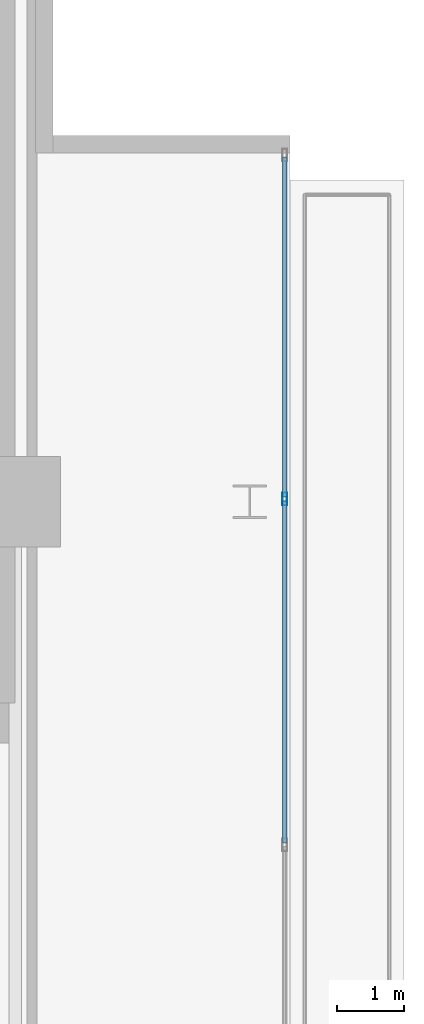
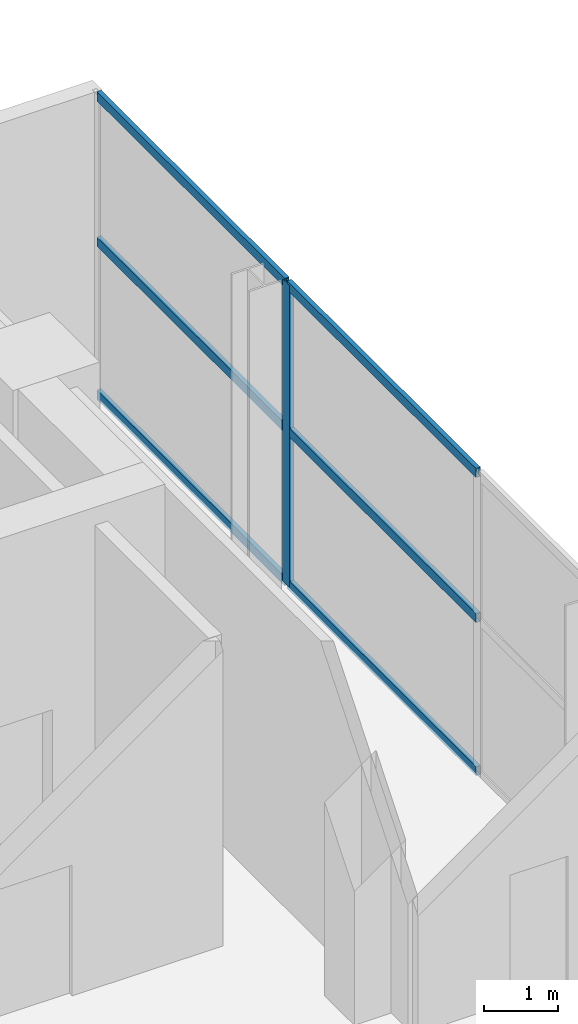
# One storey, part 9 of 19: 7 members, 1 element without a shape of its own.
"""IFC4 building model written with IfcOpenShell, lengths in metres."""

from ifc_helpers import new_model, si_unit, direction, frame, origin, origin_2d, place, context, subcontext, project, spatial, hollow_rectangle, extrude, material, layer, layer_set, material_profile, profile_set, type_object, element, aggregate, save


model = new_model("IFC4")

# Units and contexts
model_context = context("Model", 3, precision=1e-05, world=origin(), true_north=direction((0.0, 1.0)))
body_context = subcontext(model_context, "Body", "Model", "MODEL_VIEW")
ifc_project = project(units=[si_unit("LENGTHUNIT", "METRE"), si_unit("AREAUNIT", "SQUARE_METRE"), si_unit("VOLUMEUNIT", "CUBIC_METRE"), si_unit("PLANEANGLEUNIT", "RADIAN"), si_unit("MASSUNIT", "GRAM", prefix="KILO")], contexts=[model_context])

# Site, building, storey
site_placement = place(None, origin())
site = spatial("IfcSite", under=ifc_project, at=site_placement, CompositionType="ELEMENT")
building_placement = place(site_placement, origin())
building = spatial("IfcBuilding", under=site, at=building_placement, Name="Maruvema Waterfront Hotel and Observation Tower", CompositionType="ELEMENT")
storey_placement = place(building_placement, frame((0.0, 0.0, 359.10009765625)))
storey = spatial("IfcBuildingStorey", under=building, at=storey_placement, Name="L88", CompositionType="ELEMENT", Elevation=359.10009765625)

# Curtain wall, members
ifc_material_1 = material(Name="Anodised bronze aluminium and solar-control low-E IGU", Category="aluminium")
ifc_layer = layer(ifc_material_1, 0.159912109375, Name="Observation Crown Structural Glazed Curtain Wall System CW-06")
ifc_layer_set = layer_set([ifc_layer], Name="Anodised bronze aluminium and solar-control low-E IGU")
curtain_wall_type = type_object("IfcCurtainWallType", Name="Observation Crown Structural Glazed Curtain Wall System CW-06", PredefinedType="USERDEFINED", material=ifc_layer_set)
curtain_wall_placement = place(storey_placement, origin())
curtain_wall = element("IfcCurtainWall", 1, at=curtain_wall_placement, inside=storey, type_object=curtain_wall_type, Name="L88 Curtain Wall CW-L88-E", ObjectType="UNITISED CURTAIN WALL", PredefinedType="USERDEFINED")
ifc_material_2 = material(Name="Anodised architectural bronze aluminium", Category="aluminium")
ifc_material_profile_1 = material_profile(ifc_material_2, hollow_rectangle(XDim=0.070068359375, YDim=0.14990234375, WallThickness=0.00390625, at=origin_2d()), Name="ALU-T70x150")
ifc_profile_set_1 = profile_set([ifc_material_profile_1], Name="Anodised architectural bronze aluminium")
member_type_1 = type_object("IfcMemberType", Name="Curtain Wall Horizontal Transom ALU-T70x150", PredefinedType="USERDEFINED", material=ifc_profile_set_1)
member_1_placement = place(storey_placement, frame((54.419921875, 39.909912109375, 0.02978515625), z_axis=(0.0, 1.0, 0.0), x_axis=(-1.0, 0.0, 0.0)))
member_1 = element("IfcMember", 2, at=member_1_placement, type_object=member_type_1, Name="CW-06 transom 4.1", ObjectType="TRANSOM", PredefinedType="USERDEFINED", context=body_context, shape_type="SweptSolid", body=[
    extrude(hollow_rectangle(XDim=0.070068359375, YDim=0.14990234375, WallThickness=0.00390625, at=origin_2d()), origin(), (0.0, 0.0, 1.0), 5.10009765625),
])
member_2_placement = place(storey_placement, frame((54.419921875, 39.909912109375, 2.5498046875), z_axis=(0.0, 1.0, 0.0), x_axis=(-1.0, 0.0, 0.0)))
member_2 = element("IfcMember", 3, at=member_2_placement, type_object=member_type_1, Name="CW-06 transom 4.2", ObjectType="TRANSOM", PredefinedType="USERDEFINED", context=body_context, shape_type="SweptSolid", body=[
    extrude(hollow_rectangle(XDim=0.070068359375, YDim=0.14990234375, WallThickness=0.00390625, at=origin_2d()), origin(), (0.0, 0.0, 1.0), 5.10009765625),
])
member_3_placement = place(storey_placement, frame((54.419921875, 39.909912109375, 4.93994140625), z_axis=(0.0, 1.0, 0.0), x_axis=(-1.0, 0.0, 0.0)))
member_3 = element("IfcMember", 4, at=member_3_placement, type_object=member_type_1, Name="CW-06 transom 4.3", ObjectType="TRANSOM", PredefinedType="USERDEFINED", context=body_context, shape_type="SweptSolid", body=[
    extrude(hollow_rectangle(XDim=0.070068359375, YDim=0.14990234375, WallThickness=0.00390625, at=origin_2d()), origin(), (0.0, 0.0, 1.0), 5.10009765625),
])
member_4_placement = place(storey_placement, frame((54.419921875, 45.070068359375, 0.02978515625), z_axis=(0.0, 1.0, 0.0), x_axis=(-1.0, 0.0, 0.0)))
member_4 = element("IfcMember", 5, at=member_4_placement, type_object=member_type_1, Name="CW-06 transom 5.1", ObjectType="TRANSOM", PredefinedType="USERDEFINED", context=body_context, shape_type="SweptSolid", body=[
    extrude(hollow_rectangle(XDim=0.070068359375, YDim=0.14990234375, WallThickness=0.00390625, at=origin_2d()), origin(), (0.0, 0.0, 1.0), 5.06982421875),
])
member_5_placement = place(storey_placement, frame((54.419921875, 45.070068359375, 2.5498046875), z_axis=(0.0, 1.0, 0.0), x_axis=(-1.0, 0.0, 0.0)))
member_5 = element("IfcMember", 6, at=member_5_placement, type_object=member_type_1, Name="CW-06 transom 5.2", ObjectType="TRANSOM", PredefinedType="USERDEFINED", context=body_context, shape_type="SweptSolid", body=[
    extrude(hollow_rectangle(XDim=0.070068359375, YDim=0.14990234375, WallThickness=0.00390625, at=origin_2d()), origin(), (0.0, 0.0, 1.0), 5.06982421875),
])
member_6_placement = place(storey_placement, frame((54.419921875, 45.070068359375, 4.93994140625), z_axis=(0.0, 1.0, 0.0), x_axis=(-1.0, 0.0, 0.0)))
member_6 = element("IfcMember", 7, at=member_6_placement, type_object=member_type_1, Name="CW-06 transom 5.3", ObjectType="TRANSOM", PredefinedType="USERDEFINED", context=body_context, shape_type="SweptSolid", body=[
    extrude(hollow_rectangle(XDim=0.070068359375, YDim=0.14990234375, WallThickness=0.00390625, at=origin_2d()), origin(), (0.0, 0.0, 1.0), 5.06982421875),
])
ifc_material_3 = material(Name="Anodised architectural bronze aluminium", Category="aluminium")
ifc_material_profile_2 = material_profile(ifc_material_3, hollow_rectangle(XDim=0.070068359375, YDim=0.18994140625, WallThickness=0.00390625, at=origin_2d()), Name="ALU-M70x190")
ifc_profile_set_2 = profile_set([ifc_material_profile_2], Name="Anodised architectural bronze aluminium")
member_type_2 = type_object("IfcMemberType", Name="Podium Storefront Heavy Mullion ALU-M70x190", PredefinedType="MULLION", material=ifc_profile_set_2)
member_7_placement = place(storey_placement, frame((54.419921875, 45.0400390625, 0.0), z_axis=(0.0, 0.0, 1.0), x_axis=(-1.0, 0.0, 0.0)))
member_7 = element("IfcMember", 8, at=member_7_placement, type_object=member_type_2, Name="CW-06 mullion 5", PredefinedType="MULLION", context=body_context, shape_type="SweptSolid", body=[
    extrude(hollow_rectangle(XDim=0.070068359375, YDim=0.18994140625, WallThickness=0.00390625, at=origin_2d()), origin(), (0.0, 0.0, 1.0), 4.969970703125),
])
aggregate(curtain_wall, [member_7, member_1, member_2, member_3, member_4, member_5, member_6])

save(model, "model.ifc")
